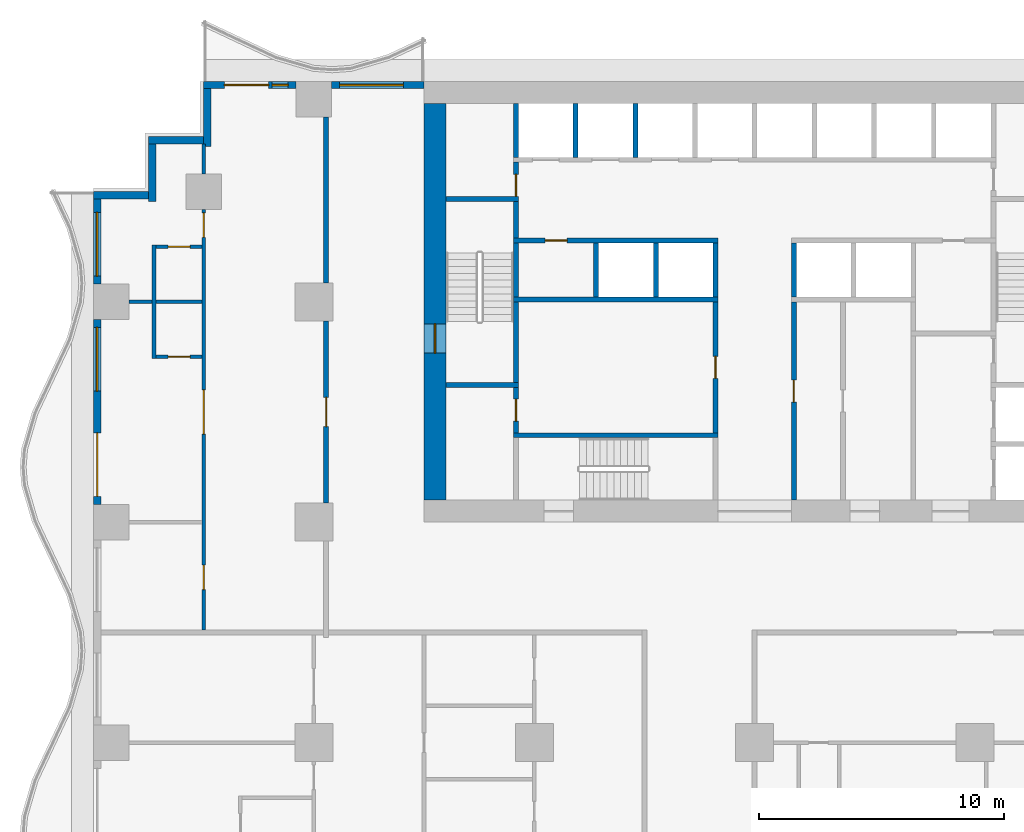
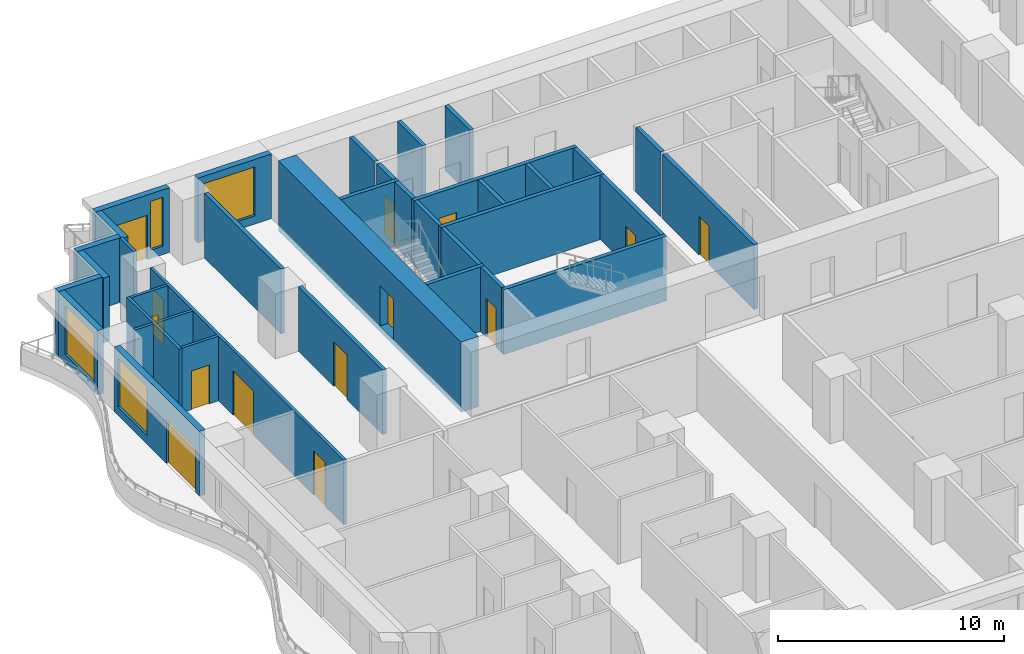
# One storey, part 5 of 14: 37 walls, 14 doors, 4 windows, 18 openings.
"""IFC4 building model written with IfcOpenShell, lengths in metres."""

from ifc_helpers import new_model, si_unit, direction, frame, frame_2d, origin, place, context, subcontext, project, spatial, rectangle, extrude, material, layer, layer_set, type_object, element, fill, save


model = new_model("IFC4")

# Units and contexts
model_context = context("Model", 3, precision=1e-05, world=origin(), true_north=direction((0.0, 1.0)))
body_context = subcontext(model_context, "Body", "Model", "MODEL_VIEW")
ifc_project = project(units=[si_unit("LENGTHUNIT", "METRE"), si_unit("AREAUNIT", "SQUARE_METRE"), si_unit("VOLUMEUNIT", "CUBIC_METRE"), si_unit("PLANEANGLEUNIT", "RADIAN"), si_unit("MASSUNIT", "GRAM", prefix="KILO")], contexts=[model_context])

# Site, building, storey
site_placement = place(None, origin())
site = spatial("IfcSite", under=ifc_project, at=site_placement, CompositionType="ELEMENT")
building_placement = place(site_placement, origin())
building = spatial("IfcBuilding", under=site, at=building_placement, Name="Orbiselva Terraces", CompositionType="ELEMENT")
storey_placement = place(building_placement, frame((0.0, 0.0, 30.2)))
storey = spatial("IfcBuildingStorey", under=building, at=storey_placement, Name="L07", CompositionType="ELEMENT", Elevation=30.2)

# Wall, opening, door
ifc_material_1 = material(Name="Concrete C80/95", Category="concrete")
ifc_layer_1 = layer(ifc_material_1, 0.9)
ifc_layer_set_1 = layer_set([ifc_layer_1], Name="Concrete C80/95")
wall_type_1 = type_object("IfcWallType", Name="CORE WALL 900", PredefinedType="SHEAR", material=ifc_layer_set_1)
wall_1_placement = place(storey_placement, frame((-13.05, 21.6, -0.3), z_axis=(0.0, 0.0, 1.0), x_axis=(0.0, -1.0, 0.0)))
wall_1 = element("IfcWall", 1, at=wall_1_placement, inside=storey, type_object=wall_type_1, Name="Core wall L07 west", PredefinedType="SHEAR", context=body_context, shape_type="SweptSolid", body=[
    extrude(rectangle(XDim=16.2, YDim=0.9, at=frame_2d((8.1, 0.0))), origin(), (0.0, 0.0, 1.0), 3.8),
])
opening_1_placement = place(wall_1_placement, frame((9.0, 0.0, 0.3)))
opening_1 = element("IfcOpeningElement", 2, at=opening_1_placement, cuts=wall_1, Name="Opening DS1200", PredefinedType="OPENING", context=body_context, shape_type="SweptSolid", body=[
    extrude(rectangle(XDim=1.2, YDim=2.2, at=frame_2d((0.6, 1.1))), frame((0.0, 0.46, 0.0), z_axis=(0.0, -1.0, 0.0), x_axis=(1.0, 0.0, 0.0)), (0.0, 0.0, 1.0), 0.92),
])
ifc_material_2 = material(Name="Steel fire door", Category="steel")
door_type_1 = type_object("IfcDoorType", Name="STAIR DOOR 1200", OperationType="NOTDEFINED", PredefinedType="DOOR", material=ifc_material_2)
door_1_placement = place(opening_1_placement, frame((1.2, 0.0, 0.0), z_axis=(0.0, 0.0, 1.0), x_axis=(-1.0, 0.0, 0.0)))
door_1 = element("IfcDoor", 3, at=door_1_placement, inside=storey, type_object=door_type_1, Name="L07 EXIT STAIR S1 door", OperationType="SINGLE_SWING_RIGHT", OverallHeight=2.2, OverallWidth=1.2, PredefinedType="DOOR", context=body_context, shape_type="SweptSolid", body=[
    extrude(rectangle(XDim=1.2, YDim=2.2, at=frame_2d((0.6, 1.1))), frame((0.0, 0.025, 0.0), z_axis=(0.0, -1.0, 0.0), x_axis=(1.0, 0.0, 0.0)), (0.0, 0.0, 1.0), 0.05),
])
fill(opening_1, door_1)

ifc_material_3 = material(Name="Masonry blockwork", Category="masonry")
ifc_layer_2 = layer(ifc_material_3, 0.2)
ifc_layer_set_2 = layer_set([ifc_layer_2], Name="Masonry blockwork")
wall_type_2 = type_object("IfcWallType", Name="CORE-WALL-PARTITION-200", PredefinedType="PARTITIONING", material=ifc_layer_set_2)
wall_2_placement = place(storey_placement, frame((-9.75, 8.15, 0.0), z_axis=(0.0, 0.0, 1.0), x_axis=(0.0, 1.0, 0.0)))
wall_2 = element("IfcWall", 4, at=wall_2_placement, inside=storey, type_object=wall_type_2, Name="L07 core wall 05", PredefinedType="PARTITIONING", context=body_context, shape_type="SweptSolid", body=[
    extrude(rectangle(XDim=1.85, YDim=0.2, at=frame_2d((0.925, 0.0))), origin(), (0.0, 0.0, 1.0), 3.5),
])
opening_2_placement = place(wall_2_placement, frame((0.475, 0.0, 0.0)))
opening_2 = element("IfcOpeningElement", 5, at=opening_2_placement, cuts=wall_2, Name="Opening DR900", PredefinedType="OPENING", context=body_context, shape_type="SweptSolid", body=[
    extrude(rectangle(XDim=0.9, YDim=2.1, at=frame_2d((0.45, 1.05))), frame((0.0, 0.11, 0.0), z_axis=(0.0, -1.0, 0.0), x_axis=(1.0, 0.0, 0.0)), (0.0, 0.0, 1.0), 0.22),
])
door_type_2 = type_object("IfcDoorType", Name="ROOM DOOR 900", OperationType="NOTDEFINED", PredefinedType="DOOR", material=ifc_material_2)
door_2_placement = place(opening_2_placement, origin())
door_2 = element("IfcDoor", 6, at=door_2_placement, inside=storey, type_object=door_type_2, Name="L07 ACCESSIBLE WC door", OperationType="SINGLE_SWING_RIGHT", OverallHeight=2.1, OverallWidth=0.9, PredefinedType="DOOR", context=body_context, shape_type="SweptSolid", body=[
    extrude(rectangle(XDim=0.9, YDim=2.1, at=frame_2d((0.45, 1.05))), frame((0.0, 0.025, 0.0), z_axis=(0.0, -1.0, 0.0), x_axis=(1.0, 0.0, 0.0)), (0.0, 0.0, 1.0), 0.05),
])
fill(opening_2, door_2)

wall_3_placement = place(storey_placement, frame((-9.75, 17.8, 0.0), z_axis=(0.0, 0.0, 1.0), x_axis=(0.0, 1.0, 0.0)))
wall_3 = element("IfcWall", 7, at=wall_3_placement, inside=storey, type_object=wall_type_2, Name="L07 core wall 11", PredefinedType="PARTITIONING", context=body_context, shape_type="SweptSolid", body=[
    extrude(rectangle(XDim=1.4, YDim=0.2, at=frame_2d((0.7, 0.0))), origin(), (0.0, 0.0, 1.0), 3.5),
])
opening_3_placement = place(wall_3_placement, origin())
opening_3 = element("IfcOpeningElement", 8, at=opening_3_placement, cuts=wall_3, Name="Opening DR900", PredefinedType="OPENING", context=body_context, shape_type="SweptSolid", body=[
    extrude(rectangle(XDim=0.9, YDim=2.1, at=frame_2d((0.45, 1.05))), frame((0.0, 0.11, 0.0), z_axis=(0.0, -1.0, 0.0), x_axis=(1.0, 0.0, 0.0)), (0.0, 0.0, 1.0), 0.22),
])
door_3_placement = place(opening_3_placement, origin())
door_3 = element("IfcDoor", 9, at=door_3_placement, inside=storey, type_object=door_type_2, Name="L07 COMMS RISER ROOM door", OperationType="SINGLE_SWING_LEFT", OverallHeight=2.1, OverallWidth=0.9, PredefinedType="DOOR", context=body_context, shape_type="SweptSolid", body=[
    extrude(rectangle(XDim=0.9, YDim=2.1, at=frame_2d((0.45, 1.05))), frame((0.0, 0.025, 0.0), z_axis=(0.0, -1.0, 0.0), x_axis=(1.0, 0.0, 0.0)), (0.0, 0.0, 1.0), 0.05),
])
fill(opening_3, door_3)

# Walls
ifc_material_4 = material(Name="Concrete C40/50", Category="concrete")
ifc_layer_3 = layer(ifc_material_4, 0.2)
ifc_layer_set_3 = layer_set([ifc_layer_3], Name="Concrete C40/50")
wall_type_3 = type_object("IfcWallType", Name="CORE-WALL-SHAFT-200", PredefinedType="PARTITIONING", material=ifc_layer_set_3)
for number, where, z_axis, x_axis, name in (
    (10, (-9.75, 19.4, 0.0), (0.0, 0.0, 1.0), (0.0, 1.0, 0.0), "L07 core wall 13"),
    (11, (-7.3125, 19.4, 0.0), (0.0, 0.0, 1.0), (0.0, 1.0, 0.0), "L07 core wall 14"),
    (12, (-6.475, 13.7, 0.0), (0.0, 0.0, 1.0), (0.0, 1.0, 0.0), "L07 core wall 15"),
    (13, (-4.875, 19.4, 0.0), (0.0, 0.0, 1.0), (0.0, 1.0, 0.0), "L07 core wall 16"),
    (14, (-4.0375, 13.7, 0.0), (0.0, 0.0, 1.0), (0.0, 1.0, 0.0), "L07 core wall 17"),
    (15, (-1.6, 13.7, 0.0), (0.0, 0.0, 1.0), (0.0, 1.0, 0.0), "L07 core wall 21"),
    (16, (1.6, 13.7, 0.0), (0.0, 0.0, 1.0), (0.0, 1.0, 0.0), "L07 core wall 25"),
):
    element("IfcWall", number, at=place(storey_placement, frame(where, z_axis=z_axis, x_axis=x_axis)), inside=storey, type_object=wall_type_3, Name=name, PredefinedType="PARTITIONING", context=body_context, shape_type="SweptSolid", body=[
        extrude(rectangle(XDim=2.2, YDim=0.2, at=frame_2d((1.1, 0.0))), origin(), (0.0, 0.0, 1.0), 3.5),
    ])
ifc_material_5 = material(Name="Concrete C60/75", Category="concrete")
ifc_layer_4 = layer(ifc_material_5, 0.2)
ifc_layer_set_4 = layer_set([ifc_layer_4], Name="Concrete C60/75")
wall_type_4 = type_object("IfcWallType", Name="CORE-WALL-SHEAR-200", PredefinedType="SHEAR", material=ifc_layer_set_4)
for number, where, z_axis, x_axis, name in (
    (17, (-12.6, 10.1, 0.0), (0.0, 0.0, 1.0), (1.0, 0.0, 0.0), "L07 core wall 01"),
    (18, (-12.6, 17.7, 0.0), (0.0, 0.0, 1.0), (1.0, 0.0, 0.0), "L07 core wall 02"),
):
    element("IfcWall", number, at=place(storey_placement, frame(where, z_axis=z_axis, x_axis=x_axis)), inside=storey, type_object=wall_type_4, Name=name, PredefinedType="SHEAR", context=body_context, shape_type="SweptSolid", body=[
        extrude(rectangle(XDim=2.95, YDim=0.2, at=frame_2d((1.475, 0.0))), origin(), (0.0, 0.0, 1.0), 3.5),
    ])
wall_4_placement = place(storey_placement, frame((-9.85, 8.05, 0.0), z_axis=(0.0, 0.0, 1.0), x_axis=(1.0, 0.0, 0.0)))
element("IfcWall", 19, at=wall_4_placement, inside=storey, type_object=wall_type_4, Name="L07 core wall 04", PredefinedType="SHEAR", context=body_context, shape_type="SweptSolid", body=[
    extrude(rectangle(XDim=8.35, YDim=0.2, at=frame_2d((4.175, 0.0))), origin(), (0.0, 0.0, 1.0), 3.5),
])
wall_5_placement = place(storey_placement, frame((-9.75, 10.2, 0.0), z_axis=(0.0, 0.0, 1.0), x_axis=(0.0, 1.0, 0.0)))
element("IfcWall", 20, at=wall_5_placement, inside=storey, type_object=wall_type_4, Name="L07 core wall 06", PredefinedType="SHEAR", context=body_context, shape_type="SweptSolid", body=[
    extrude(rectangle(XDim=3.3, YDim=0.2, at=frame_2d((1.65, 0.0))), origin(), (0.0, 0.0, 1.0), 3.5),
])
wall_6_placement = place(storey_placement, frame((-9.85, 13.6, 0.0), z_axis=(0.0, 0.0, 1.0), x_axis=(1.0, 0.0, 0.0)))
element("IfcWall", 21, at=wall_6_placement, inside=storey, type_object=wall_type_4, Name="L07 core wall 07", PredefinedType="SHEAR", context=body_context, shape_type="SweptSolid", body=[
    extrude(rectangle(XDim=8.35, YDim=0.2, at=frame_2d((4.175, 0.0))), origin(), (0.0, 0.0, 1.0), 3.5),
])
wall_7_placement = place(storey_placement, frame((-9.75, 13.7, 0.0), z_axis=(0.0, 0.0, 1.0), x_axis=(0.0, 1.0, 0.0)))
element("IfcWall", 22, at=wall_7_placement, inside=storey, type_object=wall_type_4, Name="L07 core wall 08", PredefinedType="SHEAR", context=body_context, shape_type="SweptSolid", body=[
    extrude(rectangle(XDim=2.2, YDim=0.2, at=frame_2d((1.1, 0.0))), origin(), (0.0, 0.0, 1.0), 3.5),
])

# Wall, opening, door
wall_8_placement = place(storey_placement, frame((-1.5, 16.0, 0.0), z_axis=(0.0, 0.0, 1.0), x_axis=(-1.0, 0.0, 0.0)))
wall_8 = element("IfcWall", 23, at=wall_8_placement, inside=storey, type_object=wall_type_4, Name="L07 core wall 09", PredefinedType="SHEAR", context=body_context, shape_type="SweptSolid", body=[
    extrude(rectangle(XDim=8.35, YDim=0.2, at=frame_2d((4.175, 0.0))), origin(), (0.0, 0.0, 1.0), 3.5),
])
opening_4_placement = place(wall_8_placement, frame((6.1625, 0.0, 0.0)))
opening_4 = element("IfcOpeningElement", 24, at=opening_4_placement, cuts=wall_8, Name="Opening DR900", PredefinedType="OPENING", context=body_context, shape_type="SweptSolid", body=[
    extrude(rectangle(XDim=0.9, YDim=2.1, at=frame_2d((0.45, 1.05))), frame((0.0, 0.11, 0.0), z_axis=(0.0, -1.0, 0.0), x_axis=(1.0, 0.0, 0.0)), (0.0, 0.0, 1.0), 0.22),
])
door_4_placement = place(opening_4_placement, origin())
door_4 = element("IfcDoor", 25, at=door_4_placement, inside=storey, type_object=door_type_2, Name="L07 IT ROOM door", OperationType="SINGLE_SWING_RIGHT", OverallHeight=2.1, OverallWidth=0.9, PredefinedType="DOOR", context=body_context, shape_type="SweptSolid", body=[
    extrude(rectangle(XDim=0.9, YDim=2.1, at=frame_2d((0.45, 1.05))), frame((0.0, 0.025, 0.0), z_axis=(0.0, -1.0, 0.0), x_axis=(1.0, 0.0, 0.0)), (0.0, 0.0, 1.0), 0.05),
])
fill(opening_4, door_4)

# Wall
wall_9_placement = place(storey_placement, frame((-9.75, 16.1, 0.0), z_axis=(0.0, 0.0, 1.0), x_axis=(0.0, 1.0, 0.0)))
element("IfcWall", 26, at=wall_9_placement, inside=storey, type_object=wall_type_4, Name="L07 core wall 10", PredefinedType="SHEAR", context=body_context, shape_type="SweptSolid", body=[
    extrude(rectangle(XDim=1.5, YDim=0.2, at=frame_2d((0.75, 0.0))), origin(), (0.0, 0.0, 1.0), 3.5),
])

# Wall, opening, door
wall_10_placement = place(storey_placement, frame((-1.6, 8.15, 0.0), z_axis=(0.0, 0.0, 1.0), x_axis=(0.0, 1.0, 0.0)))
wall_10 = element("IfcWall", 27, at=wall_10_placement, inside=storey, type_object=wall_type_4, Name="L07 core wall 20", PredefinedType="SHEAR", context=body_context, shape_type="SweptSolid", body=[
    extrude(rectangle(XDim=5.35, YDim=0.2, at=frame_2d((2.675, 0.0))), origin(), (0.0, 0.0, 1.0), 3.5),
])
opening_5_placement = place(wall_10_placement, frame((2.225, 0.0, 0.0)))
opening_5 = element("IfcOpeningElement", 28, at=opening_5_placement, cuts=wall_10, Name="Opening DR900", PredefinedType="OPENING", context=body_context, shape_type="SweptSolid", body=[
    extrude(rectangle(XDim=0.9, YDim=2.1, at=frame_2d((0.45, 1.05))), frame((0.0, 0.11, 0.0), z_axis=(0.0, -1.0, 0.0), x_axis=(1.0, 0.0, 0.0)), (0.0, 0.0, 1.0), 0.22),
])
door_5_placement = place(opening_5_placement, origin())
door_5 = element("IfcDoor", 29, at=door_5_placement, inside=storey, type_object=door_type_2, Name="L07 LINEN STORE door", OperationType="SINGLE_SWING_RIGHT", OverallHeight=2.1, OverallWidth=0.9, PredefinedType="DOOR", context=body_context, shape_type="SweptSolid", body=[
    extrude(rectangle(XDim=0.9, YDim=2.1, at=frame_2d((0.45, 1.05))), frame((0.0, 0.025, 0.0), z_axis=(0.0, -1.0, 0.0), x_axis=(1.0, 0.0, 0.0)), (0.0, 0.0, 1.0), 0.05),
])
fill(opening_5, door_5)

wall_11_placement = place(storey_placement, frame((1.6, 13.5, 0.0), z_axis=(0.0, 0.0, 1.0), x_axis=(0.0, -1.0, 0.0)))
wall_11 = element("IfcWall", 30, at=wall_11_placement, inside=storey, type_object=wall_type_4, Name="L07 core wall 23", PredefinedType="SHEAR", context=body_context, shape_type="SweptSolid", body=[
    extrude(rectangle(XDim=8.1, YDim=0.2, at=frame_2d((4.05, 0.0))), origin(), (0.0, 0.0, 1.0), 3.5),
])
opening_6_placement = place(wall_11_placement, frame((3.2, 0.0, 0.0)))
opening_6 = element("IfcOpeningElement", 31, at=opening_6_placement, cuts=wall_11, Name="Opening DR900", PredefinedType="OPENING", context=body_context, shape_type="SweptSolid", body=[
    extrude(rectangle(XDim=0.9, YDim=2.1, at=frame_2d((0.45, 1.05))), frame((0.0, 0.11, 0.0), z_axis=(0.0, -1.0, 0.0), x_axis=(1.0, 0.0, 0.0)), (0.0, 0.0, 1.0), 0.22),
])
door_6_placement = place(opening_6_placement, origin())
door_6 = element("IfcDoor", 32, at=door_6_placement, inside=storey, type_object=door_type_2, Name="L07 COMMS ROOM door", OperationType="SINGLE_SWING_LEFT", OverallHeight=2.1, OverallWidth=0.9, PredefinedType="DOOR", context=body_context, shape_type="SweptSolid", body=[
    extrude(rectangle(XDim=0.9, YDim=2.1, at=frame_2d((0.45, 1.05))), frame((0.0, 0.025, 0.0), z_axis=(0.0, -1.0, 0.0), x_axis=(1.0, 0.0, 0.0)), (0.0, 0.0, 1.0), 0.05),
])
fill(opening_6, door_6)

# Wall, opening, window
ifc_material_6 = material(Name="Terracotta cladding on masonry backing", Category="masonry")
ifc_layer_5 = layer(ifc_material_6, 0.3)
ifc_layer_set_5 = layer_set([ifc_layer_5], Name="Terracotta cladding on masonry backing")
wall_type_5 = type_object("IfcWallType", Name="ENV-WALL-TERRACOTTA-300", PredefinedType="SOLIDWALL", material=ifc_layer_set_5)
wall_12_placement = place(storey_placement, frame((-17.275, 22.35, 0.0), z_axis=(0.0, 0.0, 1.0), x_axis=(1.0, 0.0, 0.0)))
wall_12 = element("IfcWall", 33, at=wall_12_placement, inside=storey, type_object=wall_type_5, Name="Facade wall L07 NW", PredefinedType="SOLIDWALL", context=body_context, shape_type="SweptSolid", body=[
    extrude(rectangle(XDim=3.775, YDim=0.3, at=frame_2d((1.8875, 0.0))), origin(), (0.0, 0.0, 1.0), 3.5),
])
opening_7_placement = place(wall_12_placement, frame((0.325, 0.0, 0.45)))
opening_7 = element("IfcOpeningElement", 34, at=opening_7_placement, cuts=wall_12, Name="Opening WN1", PredefinedType="OPENING", context=body_context, shape_type="SweptSolid", body=[
    extrude(rectangle(XDim=2.6, YDim=2.65, at=frame_2d((1.3, 1.325))), frame((0.0, 0.16, 0.0), z_axis=(0.0, -1.0, 0.0), x_axis=(1.0, 0.0, 0.0)), (0.0, 0.0, 1.0), 0.32),
])
ifc_material_7 = material(Name="Clear low-e glazing in aluminium frame", Category="aluminium")
window_type_1 = type_object("IfcWindowType", Name="WINDOW 2600 X 2650 S450", PartitioningType="TRIPLE_PANEL_VERTICAL", PredefinedType="WINDOW", material=ifc_material_7)
window_1_placement = place(opening_7_placement, origin())
window_1 = element("IfcWindow", 35, at=window_1_placement, inside=storey, type_object=window_type_1, Name="Window L07 NW", OverallHeight=2.65, OverallWidth=2.6, PartitioningType="SINGLE_PANEL", PredefinedType="WINDOW", context=body_context, shape_type="SweptSolid", body=[
    extrude(rectangle(XDim=2.6, YDim=2.65, at=frame_2d((1.3, 1.325))), frame((0.0, 0.03, 0.0), z_axis=(0.0, -1.0, 0.0), x_axis=(1.0, 0.0, 0.0)), (0.0, 0.0, 1.0), 0.06),
])
fill(opening_7, window_1)

# Wall, openings, door, window
wall_13_placement = place(storey_placement, frame((-22.5, 22.35, 0.0), z_axis=(0.0, 0.0, 1.0), x_axis=(1.0, 0.0, 0.0)))
wall_13 = element("IfcWall", 36, at=wall_13_placement, inside=storey, type_object=wall_type_5, Name="Facade wall L07 NW", PredefinedType="SOLIDWALL", context=body_context, shape_type="SweptSolid", body=[
    extrude(rectangle(XDim=3.775, YDim=0.3, at=frame_2d((1.8875, 0.0))), origin(), (0.0, 0.0, 1.0), 3.5),
])
opening_8_placement = place(wall_13_placement, frame((2.8, 0.0, 0.45)))
opening_8 = element("IfcOpeningElement", 37, at=opening_8_placement, cuts=wall_13, Name="Opening WN2", PredefinedType="OPENING", context=body_context, shape_type="SweptSolid", body=[
    extrude(rectangle(XDim=0.65, YDim=2.65, at=frame_2d((0.325, 1.325))), frame((0.0, 0.16, 0.0), z_axis=(0.0, -1.0, 0.0), x_axis=(1.0, 0.0, 0.0)), (0.0, 0.0, 1.0), 0.32),
])
opening_9_placement = place(wall_13_placement, frame((0.85, 0.0, 0.0)))
opening_9 = element("IfcOpeningElement", 38, at=opening_9_placement, cuts=wall_13, Name="Opening Z1-B-E16", PredefinedType="OPENING", context=body_context, shape_type="SweptSolid", body=[
    extrude(rectangle(XDim=1.8, YDim=2.4, at=frame_2d((0.9, 1.2))), frame((0.0, 0.16, 0.0), z_axis=(0.0, -1.0, 0.0), x_axis=(1.0, 0.0, 0.0)), (0.0, 0.0, 1.0), 0.32),
])
door_type_3 = type_object("IfcDoorType", Name="BALCONY DOOR 1800 X 2400", OperationType="DOUBLE_DOOR_SLIDING", PredefinedType="DOOR", material=ifc_material_7)
door_7_placement = place(opening_9_placement, origin())
door_7 = element("IfcDoor", 39, at=door_7_placement, inside=storey, type_object=door_type_3, Name="Z1-B-E16", OperationType="SINGLE_SWING_LEFT", OverallHeight=2.4, OverallWidth=1.8, PredefinedType="DOOR", context=body_context, shape_type="SweptSolid", body=[
    extrude(rectangle(XDim=1.8, YDim=2.4, at=frame_2d((0.9, 1.2))), frame((0.0, 0.025, 0.0), z_axis=(0.0, -1.0, 0.0), x_axis=(1.0, 0.0, 0.0)), (0.0, 0.0, 1.0), 0.05),
])
fill(opening_9, door_7)
window_type_2 = type_object("IfcWindowType", Name="WINDOW 650 X 2650 S450", PartitioningType="TRIPLE_PANEL_VERTICAL", PredefinedType="WINDOW", material=ifc_material_7)
window_2_placement = place(opening_8_placement, origin())
window_2 = element("IfcWindow", 40, at=window_2_placement, inside=storey, type_object=window_type_2, Name="Window L07 NW", OverallHeight=2.65, OverallWidth=0.65, PartitioningType="SINGLE_PANEL", PredefinedType="WINDOW", context=body_context, shape_type="SweptSolid", body=[
    extrude(rectangle(XDim=0.65, YDim=2.65, at=frame_2d((0.325, 1.325))), frame((0.0, 0.03, 0.0), z_axis=(0.0, -1.0, 0.0), x_axis=(1.0, 0.0, 0.0)), (0.0, 0.0, 1.0), 0.06),
])
fill(opening_8, window_2)

# Walls
wall_14_placement = place(storey_placement, frame((-22.35, 19.85, 0.0), z_axis=(0.0, 0.0, 1.0), x_axis=(0.0, 1.0, 0.0)))
element("IfcWall", 41, at=wall_14_placement, inside=storey, type_object=wall_type_5, Name="Facade wall L07 STEP", PredefinedType="SOLIDWALL", context=body_context, shape_type="SweptSolid", body=[
    extrude(rectangle(XDim=2.35, YDim=0.3, at=frame_2d((1.175, 0.0))), origin(), (0.0, 0.0, 1.0), 3.5),
])
wall_15_placement = place(storey_placement, frame((-24.75, 20.1, 0.0), z_axis=(0.0, 0.0, 1.0), x_axis=(1.0, 0.0, 0.0)))
element("IfcWall", 42, at=wall_15_placement, inside=storey, type_object=wall_type_5, Name="Facade wall L07 STEP", PredefinedType="SOLIDWALL", context=body_context, shape_type="SweptSolid", body=[
    extrude(rectangle(XDim=2.25, YDim=0.3, at=frame_2d((1.125, 0.0))), origin(), (0.0, 0.0, 1.0), 3.5),
])
wall_16_placement = place(storey_placement, frame((-24.6, 17.6, 0.0), z_axis=(0.0, 0.0, 1.0), x_axis=(0.0, 1.0, 0.0)))
element("IfcWall", 43, at=wall_16_placement, inside=storey, type_object=wall_type_5, Name="Facade wall L07 STEP", PredefinedType="SOLIDWALL", context=body_context, shape_type="SweptSolid", body=[
    extrude(rectangle(XDim=2.35, YDim=0.3, at=frame_2d((1.175, 0.0))), origin(), (0.0, 0.0, 1.0), 3.5),
])
wall_17_placement = place(storey_placement, frame((-27.0, 17.85, 0.0), z_axis=(0.0, 0.0, 1.0), x_axis=(1.0, 0.0, 0.0)))
element("IfcWall", 44, at=wall_17_placement, inside=storey, type_object=wall_type_5, Name="Facade wall L07 STEP", PredefinedType="SOLIDWALL", context=body_context, shape_type="SweptSolid", body=[
    extrude(rectangle(XDim=2.25, YDim=0.3, at=frame_2d((1.125, 0.0))), origin(), (0.0, 0.0, 1.0), 3.5),
])

# Wall, opening, window
wall_18_placement = place(storey_placement, frame((-26.85, 14.225, 0.0), z_axis=(0.0, 0.0, 1.0), x_axis=(0.0, 1.0, 0.0)))
wall_18 = element("IfcWall", 45, at=wall_18_placement, inside=storey, type_object=wall_type_5, Name="Facade wall L07 W", PredefinedType="SOLIDWALL", context=body_context, shape_type="SweptSolid", body=[
    extrude(rectangle(XDim=3.475, YDim=0.3, at=frame_2d((1.7375, 0.0))), origin(), (0.0, 0.0, 1.0), 3.5),
])
opening_10_placement = place(wall_18_placement, frame((0.325, 0.0, 0.45)))
opening_10 = element("IfcOpeningElement", 46, at=opening_10_placement, cuts=wall_18, Name="Opening WN1", PredefinedType="OPENING", context=body_context, shape_type="SweptSolid", body=[
    extrude(rectangle(XDim=2.6, YDim=2.65, at=frame_2d((1.3, 1.325))), frame((0.0, 0.16, 0.0), z_axis=(0.0, -1.0, 0.0), x_axis=(1.0, 0.0, 0.0)), (0.0, 0.0, 1.0), 0.32),
])
window_3_placement = place(opening_10_placement, origin())
window_3 = element("IfcWindow", 47, at=window_3_placement, inside=storey, type_object=window_type_1, Name="Window L07 W", OverallHeight=2.65, OverallWidth=2.6, PartitioningType="SINGLE_PANEL", PredefinedType="WINDOW", context=body_context, shape_type="SweptSolid", body=[
    extrude(rectangle(XDim=2.6, YDim=2.65, at=frame_2d((1.3, 1.325))), frame((0.0, 0.03, 0.0), z_axis=(0.0, -1.0, 0.0), x_axis=(1.0, 0.0, 0.0)), (0.0, 0.0, 1.0), 0.06),
])
fill(opening_10, window_3)

# Wall, openings, door, window
wall_19_placement = place(storey_placement, frame((-26.85, 5.225, 0.0), z_axis=(0.0, 0.0, 1.0), x_axis=(0.0, 1.0, 0.0)))
wall_19 = element("IfcWall", 48, at=wall_19_placement, inside=storey, type_object=wall_type_5, Name="Facade wall L07 W", PredefinedType="SOLIDWALL", context=body_context, shape_type="SweptSolid", body=[
    extrude(rectangle(XDim=7.55, YDim=0.3, at=frame_2d((3.775, 0.0))), origin(), (0.0, 0.0, 1.0), 3.5),
])
opening_11_placement = place(wall_19_placement, frame((4.625, 0.0, 0.45)))
opening_11 = element("IfcOpeningElement", 49, at=opening_11_placement, cuts=wall_19, Name="Opening WN1", PredefinedType="OPENING", context=body_context, shape_type="SweptSolid", body=[
    extrude(rectangle(XDim=2.6, YDim=2.65, at=frame_2d((1.3, 1.325))), frame((0.0, 0.16, 0.0), z_axis=(0.0, -1.0, 0.0), x_axis=(1.0, 0.0, 0.0)), (0.0, 0.0, 1.0), 0.32),
])
opening_12_placement = place(wall_19_placement, frame((0.325, 0.0, 0.0)))
opening_12 = element("IfcOpeningElement", 50, at=opening_12_placement, cuts=wall_19, Name="Opening Z1-B-E10", PredefinedType="OPENING", context=body_context, shape_type="SweptSolid", body=[
    extrude(rectangle(XDim=2.6, YDim=2.4, at=frame_2d((1.3, 1.2))), frame((0.0, 0.16, 0.0), z_axis=(0.0, -1.0, 0.0), x_axis=(1.0, 0.0, 0.0)), (0.0, 0.0, 1.0), 0.32),
])
door_type_4 = type_object("IfcDoorType", Name="BALCONY DOOR 2600 X 2400", OperationType="DOUBLE_DOOR_SLIDING", PredefinedType="DOOR", material=ifc_material_7)
door_8_placement = place(opening_12_placement, origin())
door_8 = element("IfcDoor", 51, at=door_8_placement, inside=storey, type_object=door_type_4, Name="Z1-B-E10", OperationType="SINGLE_SWING_LEFT", OverallHeight=2.4, OverallWidth=2.6, PredefinedType="DOOR", context=body_context, shape_type="SweptSolid", body=[
    extrude(rectangle(XDim=2.6, YDim=2.4, at=frame_2d((1.3, 1.2))), frame((0.0, 0.025, 0.0), z_axis=(0.0, -1.0, 0.0), x_axis=(1.0, 0.0, 0.0)), (0.0, 0.0, 1.0), 0.05),
])
fill(opening_12, door_8)
window_4_placement = place(opening_11_placement, origin())
window_4 = element("IfcWindow", 52, at=window_4_placement, inside=storey, type_object=window_type_1, Name="Window L07 W", OverallHeight=2.65, OverallWidth=2.6, PartitioningType="SINGLE_PANEL", PredefinedType="WINDOW", context=body_context, shape_type="SweptSolid", body=[
    extrude(rectangle(XDim=2.6, YDim=2.65, at=frame_2d((1.3, 1.325))), frame((0.0, 0.03, 0.0), z_axis=(0.0, -1.0, 0.0), x_axis=(1.0, 0.0, 0.0)), (0.0, 0.0, 1.0), 0.06),
])
fill(opening_11, window_4)

# Wall, opening, door
ifc_material_8 = material(Name="Plasterboard on steel stud partition", Category="steel")
ifc_layer_6 = layer(ifc_material_8, 0.2)
ifc_layer_set_6 = layer_set([ifc_layer_6], Name="Plasterboard on steel stud partition")
wall_type_6 = type_object("IfcWallType", Name="UNIT-ENTRANCE-WALL-200", PredefinedType="PARTITIONING", material=ifc_layer_set_6)
wall_20_placement = place(storey_placement, frame((-17.5, 5.275, 0.0), z_axis=(0.0, 0.0, 1.0), x_axis=(0.0, 1.0, 0.0)))
wall_20 = element("IfcWall", 53, at=wall_20_placement, inside=storey, type_object=wall_type_6, Name="PARTITION L07-050", PredefinedType="PARTITIONING", context=body_context, shape_type="SweptSolid", body=[
    extrude(rectangle(XDim=7.45, YDim=0.2, at=frame_2d((3.725, 0.0))), origin(), (0.0, 0.0, 1.0), 3.5),
])
opening_13_placement = place(wall_20_placement, frame((3.125, 0.0, 0.0)))
opening_13 = element("IfcOpeningElement", 54, at=opening_13_placement, cuts=wall_20, Name="Opening Z1-B-01", PredefinedType="OPENING", context=body_context, shape_type="SweptSolid", body=[
    extrude(rectangle(XDim=1.2, YDim=2.4, at=frame_2d((0.6, 1.2))), frame((0.0, 0.11, 0.0), z_axis=(0.0, -1.0, 0.0), x_axis=(1.0, 0.0, 0.0)), (0.0, 0.0, 1.0), 0.22),
])
ifc_material_9 = material(Name="Painted timber door leaf", Category="wood")
door_type_5 = type_object("IfcDoorType", Name="ENTRANCE DOOR 1200", OperationType="NOTDEFINED", PredefinedType="DOOR", material=ifc_material_9)
door_9_placement = place(opening_13_placement, origin())
door_9 = element("IfcDoor", 55, at=door_9_placement, inside=storey, type_object=door_type_5, Name="Z1-B-01", OperationType="SINGLE_SWING_LEFT", OverallHeight=2.4, OverallWidth=1.2, PredefinedType="DOOR", context=body_context, shape_type="SweptSolid", body=[
    extrude(rectangle(XDim=1.2, YDim=2.4, at=frame_2d((0.6, 1.2))), frame((0.0, 0.025, 0.0), z_axis=(0.0, -1.0, 0.0), x_axis=(1.0, 0.0, 0.0)), (0.0, 0.0, 1.0), 0.05),
])
fill(opening_13, door_9)

# Wall
wall_21_placement = place(storey_placement, frame((-17.5, 14.275, 0.0), z_axis=(0.0, 0.0, 1.0), x_axis=(0.0, 1.0, 0.0)))
element("IfcWall", 56, at=wall_21_placement, inside=storey, type_object=wall_type_6, Name="PARTITION L07-051", PredefinedType="PARTITIONING", context=body_context, shape_type="SweptSolid", body=[
    extrude(rectangle(XDim=6.775, YDim=0.2, at=frame_2d((3.3875, 0.0))), origin(), (0.0, 0.0, 1.0), 3.5),
])

# Wall, opening, door
ifc_layer_7 = layer(ifc_material_8, 0.15)
ifc_layer_set_7 = layer_set([ifc_layer_7], Name="Plasterboard on steel stud partition")
wall_type_7 = type_object("IfcWallType", Name="UNIT-PARTITION-150", PredefinedType="PARTITIONING", material=ifc_layer_set_7)
wall_22_placement = place(storey_placement, frame((-24.45, 11.25, 0.0), z_axis=(0.0, 0.0, 1.0), x_axis=(1.0, 0.0, 0.0)))
wall_22 = element("IfcWall", 57, at=wall_22_placement, inside=storey, type_object=wall_type_7, Name="PARTITION L07-036", PredefinedType="PARTITIONING", context=body_context, shape_type="SweptSolid", body=[
    extrude(rectangle(XDim=1.875, YDim=0.15, at=frame_2d((0.9375, 0.0))), origin(), (0.0, 0.0, 1.0), 3.5),
])
opening_14_placement = place(wall_22_placement, frame((0.5, 0.0, 0.0)))
opening_14 = element("IfcOpeningElement", 58, at=opening_14_placement, cuts=wall_22, Name="Opening Z1-B-04", PredefinedType="OPENING", context=body_context, shape_type="SweptSolid", body=[
    extrude(rectangle(XDim=0.9, YDim=2.1, at=frame_2d((0.45, 1.05))), frame((0.0, 0.085, 0.0), z_axis=(0.0, -1.0, 0.0), x_axis=(1.0, 0.0, 0.0)), (0.0, 0.0, 1.0), 0.17),
])
door_type_6 = type_object("IfcDoorType", Name="BATH DOOR 900", OperationType="NOTDEFINED", PredefinedType="DOOR", material=ifc_material_9)
door_10_placement = place(opening_14_placement, origin())
door_10 = element("IfcDoor", 59, at=door_10_placement, inside=storey, type_object=door_type_6, Name="Z1-B-04", OperationType="SINGLE_SWING_RIGHT", OverallHeight=2.1, OverallWidth=0.9, PredefinedType="DOOR", context=body_context, shape_type="SweptSolid", body=[
    extrude(rectangle(XDim=0.9, YDim=2.1, at=frame_2d((0.45, 1.05))), frame((0.0, 0.025, 0.0), z_axis=(0.0, -1.0, 0.0), x_axis=(1.0, 0.0, 0.0)), (0.0, 0.0, 1.0), 0.05),
])
fill(opening_14, door_10)

# Walls
wall_23_placement = place(storey_placement, frame((-25.55, 13.5, 0.0), z_axis=(0.0, 0.0, 1.0), x_axis=(1.0, 0.0, 0.0)))
element("IfcWall", 60, at=wall_23_placement, inside=storey, type_object=wall_type_7, Name="PARTITION L07-038", PredefinedType="PARTITIONING", context=body_context, shape_type="SweptSolid", body=[
    extrude(rectangle(XDim=0.95, YDim=0.15, at=frame_2d((0.475, 0.0))), origin(), (0.0, 0.0, 1.0), 3.5),
])
wall_24_placement = place(storey_placement, frame((-24.45, 13.5, 0.0), z_axis=(0.0, 0.0, 1.0), x_axis=(1.0, 0.0, 0.0)))
element("IfcWall", 61, at=wall_24_placement, inside=storey, type_object=wall_type_7, Name="PARTITION L07-039", PredefinedType="PARTITIONING", context=body_context, shape_type="SweptSolid", body=[
    extrude(rectangle(XDim=1.875, YDim=0.15, at=frame_2d((0.9375, 0.0))), origin(), (0.0, 0.0, 1.0), 3.5),
])

# Wall, opening, door
wall_25_placement = place(storey_placement, frame((-22.575, 15.75, 0.0), z_axis=(0.0, 0.0, 1.0), x_axis=(-1.0, 0.0, 0.0)))
wall_25 = element("IfcWall", 62, at=wall_25_placement, inside=storey, type_object=wall_type_7, Name="PARTITION L07-040", PredefinedType="PARTITIONING", context=body_context, shape_type="SweptSolid", body=[
    extrude(rectangle(XDim=1.875, YDim=0.15, at=frame_2d((0.9375, 0.0))), origin(), (0.0, 0.0, 1.0), 3.5),
])
opening_15_placement = place(wall_25_placement, frame((0.475, 0.0, 0.0)))
opening_15 = element("IfcOpeningElement", 63, at=opening_15_placement, cuts=wall_25, Name="Opening Z1-B-06", PredefinedType="OPENING", context=body_context, shape_type="SweptSolid", body=[
    extrude(rectangle(XDim=0.9, YDim=2.1, at=frame_2d((0.45, 1.05))), frame((0.0, 0.085, 0.0), z_axis=(0.0, -1.0, 0.0), x_axis=(1.0, 0.0, 0.0)), (0.0, 0.0, 1.0), 0.17),
])
door_11_placement = place(opening_15_placement, origin())
door_11 = element("IfcDoor", 64, at=door_11_placement, inside=storey, type_object=door_type_6, Name="Z1-B-06", OperationType="SINGLE_SWING_LEFT", OverallHeight=2.1, OverallWidth=0.9, PredefinedType="DOOR", context=body_context, shape_type="SweptSolid", body=[
    extrude(rectangle(XDim=0.9, YDim=2.1, at=frame_2d((0.45, 1.05))), frame((0.0, 0.025, 0.0), z_axis=(0.0, -1.0, 0.0), x_axis=(1.0, 0.0, 0.0)), (0.0, 0.0, 1.0), 0.05),
])
fill(opening_15, door_11)

# Wall
wall_26_placement = place(storey_placement, frame((-24.525, 11.175, 0.0), z_axis=(0.0, 0.0, 1.0), x_axis=(0.0, 1.0, 0.0)))
element("IfcWall", 65, at=wall_26_placement, inside=storey, type_object=wall_type_7, Name="PARTITION L07-041", PredefinedType="PARTITIONING", context=body_context, shape_type="SweptSolid", body=[
    extrude(rectangle(XDim=4.65, YDim=0.15, at=frame_2d((2.325, 0.0))), origin(), (0.0, 0.0, 1.0), 3.5),
])

# Wall, openings, doors
wall_27_placement = place(storey_placement, frame((-22.5, 0.1, 0.0), z_axis=(0.0, 0.0, 1.0), x_axis=(0.0, 1.0, 0.0)))
wall_27 = element("IfcWall", 66, at=wall_27_placement, inside=storey, type_object=wall_type_7, Name="PARTITION L07-042", PredefinedType="PARTITIONING", context=body_context, shape_type="SweptSolid", body=[
    extrude(rectangle(XDim=17.175, YDim=0.15, at=frame_2d((8.5875, 0.0))), origin(), (0.0, 0.0, 1.0), 3.5),
])
opening_16_placement = place(wall_27_placement, frame((1.65, 0.0, 0.0)))
opening_16 = element("IfcOpeningElement", 67, at=opening_16_placement, cuts=wall_27, Name="Opening Z1-B-02", PredefinedType="OPENING", context=body_context, shape_type="SweptSolid", body=[
    extrude(rectangle(XDim=1.0, YDim=2.4, at=frame_2d((0.5, 1.2))), frame((0.0, 0.085, 0.0), z_axis=(0.0, -1.0, 0.0), x_axis=(1.0, 0.0, 0.0)), (0.0, 0.0, 1.0), 0.17),
])
opening_17_placement = place(wall_27_placement, frame((8.0, 0.0, 0.0)))
opening_17 = element("IfcOpeningElement", 68, at=opening_17_placement, cuts=wall_27, Name="Opening Z1-B-03", PredefinedType="OPENING", context=body_context, shape_type="SweptSolid", body=[
    extrude(rectangle(XDim=1.8, YDim=2.4, at=frame_2d((0.9, 1.2))), frame((0.0, 0.085, 0.0), z_axis=(0.0, -1.0, 0.0), x_axis=(1.0, 0.0, 0.0)), (0.0, 0.0, 1.0), 0.17),
])
opening_18_placement = place(wall_27_placement, frame((16.025, 0.0, 0.0)))
opening_18 = element("IfcOpeningElement", 69, at=opening_18_placement, cuts=wall_27, Name="Opening Z1-B-05", PredefinedType="OPENING", context=body_context, shape_type="SweptSolid", body=[
    extrude(rectangle(XDim=1.0, YDim=2.4, at=frame_2d((0.5, 1.2))), frame((0.0, 0.085, 0.0), z_axis=(0.0, -1.0, 0.0), x_axis=(1.0, 0.0, 0.0)), (0.0, 0.0, 1.0), 0.17),
])
door_type_7 = type_object("IfcDoorType", Name="DOUBLE DOOR 1800", OperationType="NOTDEFINED", PredefinedType="DOOR", material=ifc_material_9)
door_12_placement = place(opening_17_placement, origin())
door_12 = element("IfcDoor", 70, at=door_12_placement, inside=storey, type_object=door_type_7, Name="Z1-B-03", OperationType="DOUBLE_DOOR_SINGLE_SWING", OverallHeight=2.4, OverallWidth=1.8, PredefinedType="DOOR", context=body_context, shape_type="SweptSolid", body=[
    extrude(rectangle(XDim=1.8, YDim=2.4, at=frame_2d((0.9, 1.2))), frame((0.0, 0.025, 0.0), z_axis=(0.0, -1.0, 0.0), x_axis=(1.0, 0.0, 0.0)), (0.0, 0.0, 1.0), 0.05),
])
fill(opening_17, door_12)
door_type_8 = type_object("IfcDoorType", Name="ROOM DOOR 1000", OperationType="NOTDEFINED", PredefinedType="DOOR", material=ifc_material_9)
door_13_placement = place(opening_16_placement, origin())
door_13 = element("IfcDoor", 71, at=door_13_placement, inside=storey, type_object=door_type_8, Name="Z1-B-02", OperationType="SINGLE_SWING_LEFT", OverallHeight=2.4, OverallWidth=1.0, PredefinedType="DOOR", context=body_context, shape_type="SweptSolid", body=[
    extrude(rectangle(XDim=1.0, YDim=2.4, at=frame_2d((0.5, 1.2))), frame((0.0, 0.025, 0.0), z_axis=(0.0, -1.0, 0.0), x_axis=(1.0, 0.0, 0.0)), (0.0, 0.0, 1.0), 0.05),
])
fill(opening_16, door_13)
door_14_placement = place(opening_18_placement, origin())
door_14 = element("IfcDoor", 72, at=door_14_placement, inside=storey, type_object=door_type_8, Name="Z1-B-05", OperationType="SINGLE_SWING_RIGHT", OverallHeight=2.4, OverallWidth=1.0, PredefinedType="DOOR", context=body_context, shape_type="SweptSolid", body=[
    extrude(rectangle(XDim=1.0, YDim=2.4, at=frame_2d((0.5, 1.2))), frame((0.0, 0.025, 0.0), z_axis=(0.0, -1.0, 0.0), x_axis=(1.0, 0.0, 0.0)), (0.0, 0.0, 1.0), 0.05),
])
fill(opening_18, door_14)

# Wall
wall_28_placement = place(storey_placement, frame((-22.5, 18.725, 0.0), z_axis=(0.0, 0.0, 1.0), x_axis=(0.0, 1.0, 0.0)))
element("IfcWall", 73, at=wall_28_placement, inside=storey, type_object=wall_type_7, Name="PARTITION L07-043", PredefinedType="PARTITIONING", context=body_context, shape_type="SweptSolid", body=[
    extrude(rectangle(XDim=1.225, YDim=0.15, at=frame_2d((0.6125, 0.0))), origin(), (0.0, 0.0, 1.0), 3.5),
])

save(model, "model.ifc")
